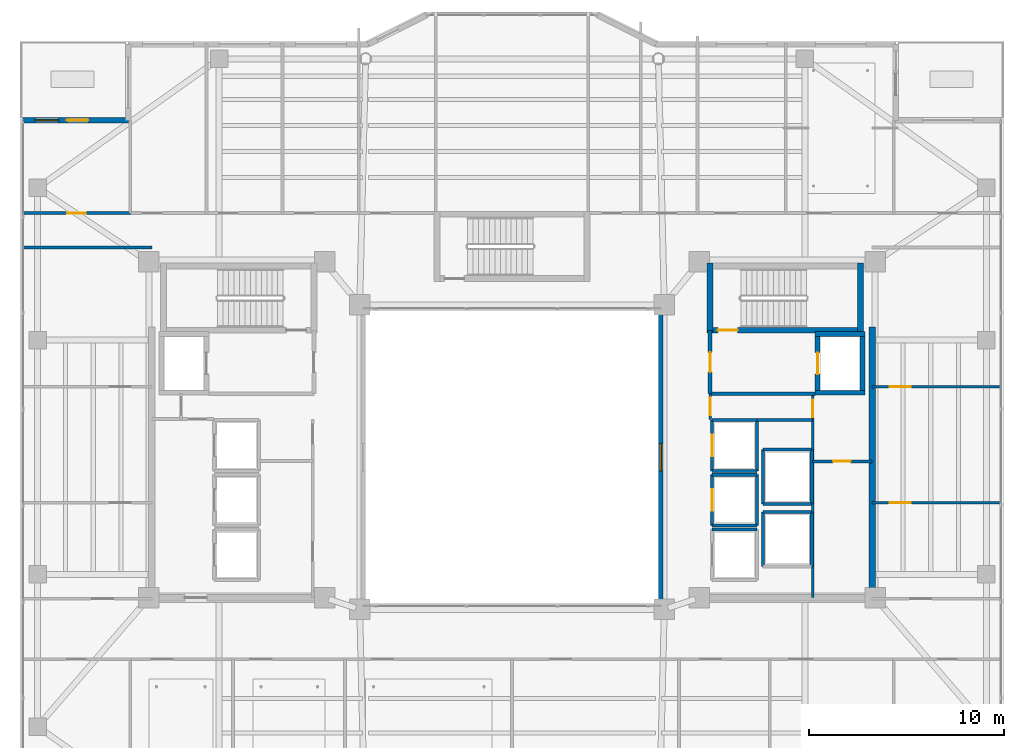
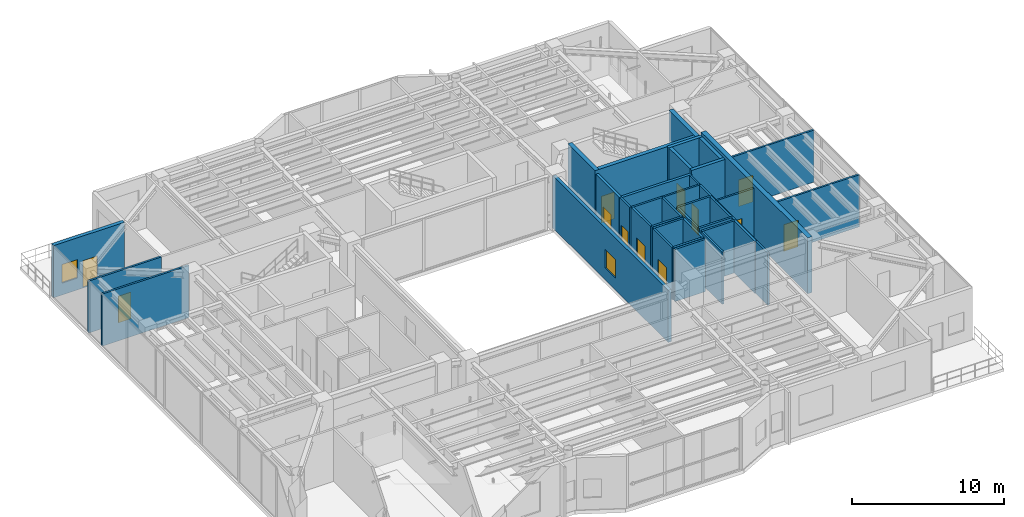
# One storey, part 25 of 33: 36 walls, 12 doors, 2 windows, 14 openings.
"""IFC4 building model written with IfcOpenShell, lengths in metres."""

import ifcopenshell
import ifcopenshell.guid

model = None  # the IFC model being written
_history = None  # IfcOwnerHistory: only IFC2X3 demands one
_inside = {}  # id of a spatial element -> (the spatial element, [elements in it])
_under = {}  # id of a project, library or spatial element -> (it, [spatial elements below it])
_declared = {}  # id of a project -> (the project, [libraries it declares])
_typed = {}  # id of a type object -> (the type object, [elements of that type])
_made_of = {}  # id of a material, layer set ... -> (it, [elements and type objects made of it])


def new_model(schema):
    """Start an empty IFC model of exactly this schema.

    Asked for "IFC4X3", IfcOpenShell would pick the latest addendum, in which some entities
    have other attributes; the version numbers below select the first issue.
    IFC2X3 requires an IfcOwnerHistory on every rooted entity: one is made here for all.
    """
    global model, _history
    if schema == "IFC4X3":
        model = ifcopenshell.file(schema_version=(4, 3, 0, 0))
    else:
        model = ifcopenshell.file(schema=schema)
    _inside.clear()
    _under.clear()
    _declared.clear()
    _typed.clear()
    _made_of.clear()
    _history = None
    if model.schema == "IFC2X3":
        org = make("IfcOrganization", Name="unknown")
        user = make(
            "IfcPersonAndOrganization",
            ThePerson=make("IfcPerson", FamilyName="unknown"),
            TheOrganization=org,
        )
        app = make(
            "IfcApplication",
            ApplicationDeveloper=org,
            Version="unknown",
            ApplicationFullName="unknown",
            ApplicationIdentifier="unknown",
        )
        _history = make(
            "IfcOwnerHistory",
            OwningUser=user,
            OwningApplication=app,
            ChangeAction="ADDED",
            CreationDate=0,
        )
    return model


def make(cls, **values):
    """One entity of the class cls with the attributes given. An attribute that is None is left unset."""
    return model.create_entity(
        cls, **{name: value for name, value in values.items() if value is not None}
    )


def rooted(cls, **values):
    """An entity with a GlobalId (a new one), such as an element, a storey or a relation."""
    return make(cls, GlobalId=ifcopenshell.guid.new(), OwnerHistory=_history, **values)


def si_unit(unit_type, name, prefix=None):
    """IfcSIUnit, for example si_unit("LENGTHUNIT", "METRE", prefix="MILLI")."""
    return make("IfcSIUnit", UnitType=unit_type, Prefix=prefix, Name=name)


def assignment(units):
    """IfcUnitAssignment: the units of a project."""
    return None if units is None else make("IfcUnitAssignment", Units=units)


def point(xyz):
    """IfcCartesianPoint."""
    return None if xyz is None else make("IfcCartesianPoint", Coordinates=xyz)


def direction(xyz):
    """IfcDirection."""
    return None if xyz is None else make("IfcDirection", DirectionRatios=xyz)


def frame(location, z_axis=None, x_axis=None):
    """IfcAxis2Placement3D, a coordinate frame: its origin and axes. An axis left out is left unset."""
    return make(
        "IfcAxis2Placement3D",
        Location=point(location),
        Axis=direction(z_axis),
        RefDirection=direction(x_axis),
    )


def frame_2d(location, x_axis=None):
    """IfcAxis2Placement2D, a coordinate frame in the plane: its origin and x axis."""
    return make(
        "IfcAxis2Placement2D", Location=point(location), RefDirection=direction(x_axis)
    )


def origin():
    """The frame at (0, 0, 0) with its axes left unset."""
    return frame((0.0, 0.0, 0.0))


def place(relative_to, where):
    """IfcLocalPlacement: puts the frame where relative to a parent placement (None: the world)."""
    return make(
        "IfcLocalPlacement", PlacementRelTo=relative_to, RelativePlacement=where
    )


def context(
    kind, dimensions, precision=None, world=None, true_north=None, identifier=None
):
    """IfcGeometricRepresentationContext, for example the 3D "Model" context."""
    return make(
        "IfcGeometricRepresentationContext",
        ContextIdentifier=identifier,
        ContextType=kind,
        CoordinateSpaceDimension=dimensions,
        Precision=precision,
        WorldCoordinateSystem=world,
        TrueNorth=true_north,
    )


def subcontext(parent, identifier, kind, view, scale=None):
    """IfcGeometricRepresentationSubContext, for example "Body" below "Model"."""
    return make(
        "IfcGeometricRepresentationSubContext",
        ContextIdentifier=identifier,
        ContextType=kind,
        ParentContext=parent,
        TargetScale=scale,
        TargetView=view,
    )


def project(units=None, contexts=None):
    """IfcProject with its units and contexts."""
    return rooted(
        "IfcProject",
        Name="project",
        RepresentationContexts=contexts,
        UnitsInContext=assignment(units),
    )


def spatial(cls, under=None, at=None, **own):
    """A site, building, storey or space (cls), placed at a placement, below another one or the project."""
    s = rooted(cls, ObjectPlacement=at, **own)
    if under is not None:
        _under.setdefault(under.id(), (under, []))[1].append(s)
    return s


def profile(cls, at=None, kind="AREA", **sizes):
    """A parametric profile (cls). Its sizes go by their IFC names, for example OverallWidth=200.0."""
    return make(cls, ProfileType=kind, Position=at, **sizes)


def rectangle(**sizes):
    """IfcRectangleProfileDef."""
    return profile("IfcRectangleProfileDef", **sizes)


def extrude(swept, where, along, depth):
    """IfcExtrudedAreaSolid: the profile swept, set in the frame where, extruded along a direction by depth."""
    return make(
        "IfcExtrudedAreaSolid",
        SweptArea=swept,
        Position=where,
        ExtrudedDirection=direction(along),
        Depth=depth,
    )


def shape(context_of_items, identifier, shape_type, items):
    """IfcShapeRepresentation: the items that make up one representation, for example the "Body"."""
    return make(
        "IfcShapeRepresentation",
        ContextOfItems=context_of_items,
        RepresentationIdentifier=identifier,
        RepresentationType=shape_type,
        Items=items,
    )


def material(Name=None, Category=None):
    """IfcMaterial."""
    return make("IfcMaterial", Name=Name, Category=Category)


def layer(
    of_material, thickness, ventilated=None, Name=None, Category=None, Priority=None
):
    """IfcMaterialLayer: one layer of a wall or slab, of a material (None: an air gap)."""
    return make(
        "IfcMaterialLayer",
        Material=of_material,
        LayerThickness=thickness,
        IsVentilated=ventilated,
        Name=Name,
        Category=Category,
        Priority=Priority,
    )


def layer_set(layers, Name=None):
    """IfcMaterialLayerSet."""
    return make("IfcMaterialLayerSet", MaterialLayers=layers, LayerSetName=Name)


def made_of(thing, what):
    """Note that an element or type object is made of a material, layer set ...; save() writes the relation."""
    if what is not None:
        _made_of.setdefault(what.id(), (what, []))[1].append(thing)
    return thing


def type_object(cls, material=None, **own):
    """A type object (cls), such as IfcWallType, which elements share."""
    return made_of(rooted(cls, **own), material)


def element(
    cls,
    number,
    at=None,
    inside=None,
    cuts=None,
    type_object=None,
    material=None,
    context=None,
    identifier="Body",
    shape_type=None,
    held_by="IfcProductDefinitionShape",
    body=None,
    shapes=None,
    **own,
):
    """One element of the class cls, such as IfcWall. Its Tag is "e" and its number.

    at: its placement. inside: the storey or other place that contains it. cuts: it is an
    opening in that element (IfcRelVoidsElement). A single representation is given by context,
    identifier, shape_type and body (its items); several are given by shapes. held_by: the class
    of the entity that holds the representations. save() writes the other relations.
    """
    e = rooted(cls, Tag="e%d" % number, ObjectPlacement=at, **own)
    if body is not None:
        shapes = [shape(context, identifier, shape_type, body)]
    if shapes is not None:
        e.Representation = make(held_by, Representations=shapes)
    if inside is not None:
        _inside.setdefault(inside.id(), (inside, []))[1].append(e)
    if cuts is not None:
        rooted(
            "IfcRelVoidsElement", RelatingBuildingElement=cuts, RelatedOpeningElement=e
        )
    if type_object is not None:
        _typed.setdefault(type_object.id(), (type_object, []))[1].append(e)
    return made_of(e, material)


def fill(opening, filler):
    """IfcRelFillsElement: the door or window that sits in an opening."""
    return rooted(
        "IfcRelFillsElement",
        RelatingOpeningElement=opening,
        RelatedBuildingElement=filler,
    )


def aggregate(whole, parts):
    """IfcRelAggregates: a whole, such as a stair, and the parts it consists of."""
    return rooted("IfcRelAggregates", RelatingObject=whole, RelatedObjects=parts)


def save(model, path):
    """Write the relations noted so far, then the file.

    IfcRelAggregates (storeys below a building ...), IfcRelContainedInSpatialStructure (elements
    in a storey), IfcRelDefinesByType, IfcRelAssociatesMaterial and IfcRelDeclares: one each for
    every whole, place, type object, material and project.
    """
    for whole, parts in _under.values():
        aggregate(whole, parts)
    for where, things in _inside.values():
        rooted(
            "IfcRelContainedInSpatialStructure",
            RelatedElements=things,
            RelatingStructure=where,
        )
    for kind, things in _typed.values():
        rooted("IfcRelDefinesByType", RelatedObjects=things, RelatingType=kind)
    for what, things in _made_of.values():
        rooted("IfcRelAssociatesMaterial", RelatedObjects=things, RelatingMaterial=what)
    for by, libraries in _declared.values():
        rooted("IfcRelDeclares", RelatingContext=by, RelatedDefinitions=libraries)
    model.write(path)


model = new_model("IFC4")

# Units and contexts
model_context = context("Model", 3, precision=1e-05, world=origin(), true_north=direction((0.0, 1.0)))
body_context = subcontext(model_context, "Body", "Model", "MODEL_VIEW")
ifc_project = project(units=[si_unit("LENGTHUNIT", "METRE"), si_unit("AREAUNIT", "SQUARE_METRE"), si_unit("VOLUMEUNIT", "CUBIC_METRE"), si_unit("PLANEANGLEUNIT", "RADIAN"), si_unit("MASSUNIT", "GRAM", prefix="KILO")], contexts=[model_context])

# Site, building, storey
site_placement = place(None, origin())
site = spatial("IfcSite", under=ifc_project, at=site_placement, CompositionType="ELEMENT")
building_placement = place(site_placement, origin())
building = spatial("IfcBuilding", under=site, at=building_placement, Name="Tarnavaz Court Tower", CompositionType="ELEMENT")
storey_placement = place(building_placement, frame((0.0, 0.0, 177.300048828125)))
storey = spatial("IfcBuildingStorey", under=building, at=storey_placement, Name="L48", CompositionType="ELEMENT", Elevation=177.300048828125)

# Wall, opening, door
ifc_material_1 = material(Name="Concrete C50/60", Category="concrete")
ifc_layer_1 = layer(ifc_material_1, 0.25)
ifc_layer_set_1 = layer_set([ifc_layer_1], Name="Concrete C50/60")
wall_type_1 = type_object("IfcWallType", Name="WL-CORE-250-C50", PredefinedType="SHEAR", material=ifc_layer_set_1)
wall_1_placement = place(storey_placement, frame((15.64990234375, 3.175048828125, 0.0), z_axis=(0.0, 0.0, 1.0), x_axis=(0.0, 1.0, 0.0)))
wall_1 = element("IfcWall", 1, at=wall_1_placement, inside=storey, type_object=wall_type_1, Name="L48 Lift FL-E1 Shaft Wall 033", PredefinedType="SHEAR", context=body_context, shape_type="SweptSolid", body=[
    extrude(rectangle(XDim=3.25, YDim=0.25, at=frame_2d((1.625, 0.0))), origin(), (0.0, 0.0, 1.0), 4.5),
])
opening_1_placement = place(wall_1_placement, frame((1.074951171875, 0.0, 0.0)))
opening_1 = element("IfcOpeningElement", 2, at=opening_1_placement, cuts=wall_1, Name="Opening LD1", PredefinedType="OPENING", context=body_context, shape_type="SweptSolid", body=[
    extrude(rectangle(XDim=1.10009765625, YDim=2.14990234375, at=frame_2d((0.550048828125, 1.074951171875))), frame((0.0, 0.135009765625, 0.0), z_axis=(0.0, -1.0, 0.0), x_axis=(1.0, 0.0, 0.0)), (0.0, 0.0, 1.0), 0.27001953125),
])
ifc_material_2 = material(Name="Stainless Steel", Category="steel")
door_type_1 = type_object("IfcDoorType", Name="DR-LD-1100", OperationType="NOTDEFINED", PredefinedType="DOOR", material=ifc_material_2)
door_1_placement = place(opening_1_placement, origin())
door_1 = element("IfcDoor", 3, at=door_1_placement, inside=storey, type_object=door_type_1, Name="L48 Lift Landing Door LD-FL-E1", OperationType="SLIDING_TO_LEFT", OverallHeight=2.14990234375, OverallWidth=1.10009765625, PredefinedType="DOOR", context=body_context, shape_type="SweptSolid", body=[
    extrude(rectangle(XDim=1.10009765625, YDim=2.14990234375, at=frame_2d((0.550048828125, 1.074951171875))), frame((0.0, 0.02490234375, 0.0), z_axis=(0.0, -1.0, 0.0), x_axis=(1.0, 0.0, 0.0)), (0.0, 0.0, 1.0), 0.050048828125),
])
fill(opening_1, door_1)

# Walls
wall_2_placement = place(storey_placement, frame((17.949951171875, 3.175048828125, 0.0), z_axis=(0.0, 0.0, 1.0), x_axis=(0.0, 1.0, 0.0)))
element("IfcWall", 4, at=wall_2_placement, inside=storey, type_object=wall_type_1, Name="L48 Lift FL-E1 Shaft Wall 034", PredefinedType="SHEAR", context=body_context, shape_type="SweptSolid", body=[
    extrude(rectangle(XDim=3.25, YDim=0.25, at=frame_2d((1.625, 0.0))), origin(), (0.0, 0.0, 1.0), 4.5),
])
for number, where, z_axis, x_axis, name in (
    (5, (15.52490234375, 3.300048828125, 0.0), (0.0, 0.0, 1.0), (1.0, 0.0, 0.0), "L48 Lift FL-E1 Shaft Wall 035"),
    (6, (15.52490234375, 6.300048828125, 0.0), (0.0, 0.0, 1.0), (1.0, 0.0, 0.0), "L48 Lift FL-E1 Shaft Wall 036"),
):
    element("IfcWall", number, at=place(storey_placement, frame(where, z_axis=z_axis, x_axis=x_axis)), inside=storey, type_object=wall_type_1, Name=name, PredefinedType="SHEAR", context=body_context, shape_type="SweptSolid", body=[
        extrude(rectangle(XDim=2.550048828125, YDim=0.25, at=frame_2d((1.27490234375, 0.0))), origin(), (0.0, 0.0, 1.0), 4.5),
    ])

# Wall, opening, door
ifc_layer_2 = layer(ifc_material_1, 0.300048828125)
ifc_layer_set_2 = layer_set([ifc_layer_2], Name="Concrete C50/60")
wall_type_2 = type_object("IfcWallType", Name="WL-CORE-300-C50", PredefinedType="SHEAR", material=ifc_layer_set_2)
wall_3_placement = place(storey_placement, frame((10.0, 6.5, 0.0), z_axis=(0.0, 0.0, 1.0), x_axis=(1.0, 0.0, 0.0)))
wall_3 = element("IfcWall", 7, at=wall_3_placement, inside=storey, type_object=wall_type_2, Name="L48 East Stair Core Wall 006", PredefinedType="SHEAR", context=body_context, shape_type="SweptSolid", body=[
    extrude(rectangle(XDim=8.0, YDim=0.300048828125, at=frame_2d((4.0, 0.0))), origin(), (0.0, 0.0, 1.0), 4.5),
])
opening_2_placement = place(wall_3_placement, frame((0.550048828125, 0.0, 0.0)))
opening_2 = element("IfcOpeningElement", 8, at=opening_2_placement, cuts=wall_3, Name="Opening D01", PredefinedType="OPENING", context=body_context, shape_type="SweptSolid", body=[
    extrude(rectangle(XDim=1.0, YDim=2.14990234375, at=frame_2d((0.5, 1.074951171875))), frame((0.0, 0.159912109375, 0.0), z_axis=(0.0, -1.0, 0.0), x_axis=(1.0, 0.0, 0.0)), (0.0, 0.0, 1.0), 0.320068359375),
])
ifc_material_3 = material(Name="Fire-Rated Hardwood Timber Core", Category="wood")
door_type_2 = type_object("IfcDoorType", Name="DR-FD90-1000", OperationType="NOTDEFINED", PredefinedType="DOOR", material=ifc_material_3)
door_2_placement = place(opening_2_placement, origin())
door_2 = element("IfcDoor", 9, at=door_2_placement, inside=storey, type_object=door_type_2, Name="L48 Stair ST-E1 Exit Door", OperationType="SINGLE_SWING_RIGHT", OverallHeight=2.14990234375, OverallWidth=1.0, PredefinedType="DOOR", context=body_context, shape_type="SweptSolid", body=[
    extrude(rectangle(XDim=1.0, YDim=2.14990234375, at=frame_2d((0.5, 1.074951171875))), frame((0.0, 0.02490234375, 0.0), z_axis=(0.0, -1.0, 0.0), x_axis=(1.0, 0.0, 0.0)), (0.0, 0.0, 1.0), 0.050048828125),
])
fill(opening_2, door_2)

# Walls
for number, where, z_axis, x_axis, name in (
    (10, (10.14990234375, 6.35009765625, 0.0), (0.0, 0.0, 1.0), (0.0, 1.0, 0.0), "L48 East Stair Core Wall 007"),
    (11, (17.85009765625, 6.35009765625, 0.0), (0.0, 0.0, 1.0), (0.0, 1.0, 0.0), "L48 East Stair Core Wall 008"),
):
    element("IfcWall", number, at=place(storey_placement, frame(where, z_axis=z_axis, x_axis=x_axis)), inside=storey, type_object=wall_type_2, Name=name, PredefinedType="SHEAR", context=body_context, shape_type="SweptSolid", body=[
        extrude(rectangle(XDim=3.58984375, YDim=0.300048828125, at=frame_2d((1.794921875, 0.0))), origin(), (0.0, 0.0, 1.0), 4.5),
    ])
ifc_layer_3 = layer(ifc_material_1, 0.35009765625)
ifc_layer_set_3 = layer_set([ifc_layer_3], Name="Concrete C50/60")
wall_type_3 = type_object("IfcWallType", Name="WL-CORE-350-C50", PredefinedType="SHEAR", material=ifc_layer_set_3)
wall_4_placement = place(storey_placement, frame((18.449951171875, -7.375, 0.0), z_axis=(0.0, 0.0, 1.0), x_axis=(0.0, 1.0, 0.0)))
element("IfcWall", 12, at=wall_4_placement, inside=storey, type_object=wall_type_3, Name="L48 East Core Shear Wall 059", PredefinedType="SHEAR", context=body_context, shape_type="SweptSolid", body=[
    extrude(rectangle(XDim=14.050048828125, YDim=0.35009765625, at=frame_2d((7.02490234375, 0.0))), origin(), (0.0, 0.0, 1.0), 4.5),
])

# Wall, openings, door, window
ifc_material_4 = material(Name="Precast Concrete C40/50", Category="concrete")
ifc_layer_4 = layer(ifc_material_4, 0.280029296875)
ifc_layer_set_4 = layer_set([ifc_layer_4], Name="Precast Concrete C40/50")
wall_type_4 = type_object("IfcWallType", Name="WL-EXT-280", PredefinedType="SOLIDWALL", material=ifc_layer_set_4)
wall_5_placement = place(storey_placement, frame((-25.050048828125, 17.25, 0.0), z_axis=(0.0, 0.0, 1.0), x_axis=(1.0, 0.0, 0.0)))
wall_5 = element("IfcWall", 13, at=wall_5_placement, inside=storey, type_object=wall_type_4, Name="L48 Exterior Terracotta Facade Wall 03", PredefinedType="SOLIDWALL", context=body_context, shape_type="SweptSolid", body=[
    extrude(rectangle(XDim=5.400146484375, YDim=0.280029296875, at=frame_2d((2.7001953125, 0.0))), origin(), (0.0, 0.0, 1.0), 4.199951171875),
])
opening_3_placement = place(wall_5_placement, frame((2.25, 0.0, 0.0)))
opening_3 = element("IfcOpeningElement", 14, at=opening_3_placement, cuts=wall_5, Name="Opening TD1", PredefinedType="OPENING", context=body_context, shape_type="SweptSolid", body=[
    extrude(rectangle(XDim=1.10009765625, YDim=2.199951171875, at=frame_2d((0.550048828125, 1.10009765625))), frame((0.0, 0.14990234375, 0.0), z_axis=(0.0, -1.0, 0.0), x_axis=(1.0, 0.0, 0.0)), (0.0, 0.0, 1.0), 0.300048828125),
])
opening_4_placement = place(wall_5_placement, frame((0.6298828125, 0.0, 0.949951171875)))
opening_4 = element("IfcOpeningElement", 15, at=opening_4_placement, cuts=wall_5, Name="Opening W05", PredefinedType="OPENING", context=body_context, shape_type="SweptSolid", body=[
    extrude(rectangle(XDim=1.199951171875, YDim=1.5, at=frame_2d((0.60009765625, 0.75))), frame((0.0, 0.14990234375, 0.0), z_axis=(0.0, -1.0, 0.0), x_axis=(1.0, 0.0, 0.0)), (0.0, 0.0, 1.0), 0.300048828125),
])
ifc_material_5 = material(Name="Thermally Broken Aluminium and Laminated Glass", Category="aluminium")
door_type_3 = type_object("IfcDoorType", Name="DR-TERR-1100", OperationType="NOTDEFINED", PredefinedType="DOOR", material=ifc_material_5)
door_3_placement = place(opening_3_placement, origin())
door_3 = element("IfcDoor", 16, at=door_3_placement, inside=storey, type_object=door_type_3, Name="L48 Sky Terrace Access Door 2", OperationType="SINGLE_SWING_RIGHT", OverallHeight=2.199951171875, OverallWidth=1.10009765625, PredefinedType="DOOR", context=body_context, shape_type="SweptSolid", body=[
    extrude(rectangle(XDim=1.10009765625, YDim=2.199951171875, at=frame_2d((0.550048828125, 1.10009765625))), frame((0.0, 0.02490234375, 0.0), z_axis=(0.0, -1.0, 0.0), x_axis=(1.0, 0.0, 0.0)), (0.0, 0.0, 1.0), 0.050048828125),
])
fill(opening_3, door_3)
ifc_material_6 = material(Name="Double-Glazed Solar Low-E Glass", Category="glass")
window_type_1 = type_object("IfcWindowType", Name="WN-APT-1200", PartitioningType="SINGLE_PANEL", PredefinedType="WINDOW", material=ifc_material_6)
window_1_placement = place(opening_4_placement, origin())
window_1 = element("IfcWindow", 17, at=window_1_placement, inside=storey, type_object=window_type_1, Name="L48 L48 NW Terrace Salon Window", OverallHeight=1.5, OverallWidth=1.199951171875, PartitioningType="SINGLE_PANEL", PredefinedType="WINDOW", context=body_context, shape_type="SweptSolid", body=[
    extrude(rectangle(XDim=1.199951171875, YDim=1.5, at=frame_2d((0.60009765625, 0.75))), frame((0.0, 0.030029296875, 0.0), z_axis=(0.0, -1.0, 0.0), x_axis=(1.0, 0.0, 0.0)), (0.0, 0.0, 1.0), 0.06005859375),
])
fill(opening_4, window_1)

# Wall
ifc_material_7 = material(Name="Gypsum Fire-Board on Acoustic Metal Stud", Category="masonry")
ifc_layer_5 = layer(ifc_material_7, 0.14990234375)
ifc_layer_set_5 = layer_set([ifc_layer_5], Name="Gypsum Fire-Board on Acoustic Metal Stud")
wall_type_5 = type_object("IfcWallType", Name="WL-FIRE-150", PredefinedType="PARTITIONING", material=ifc_layer_set_5)
wall_6_placement = place(storey_placement, frame((-25.080078125, 10.75, 0.0), z_axis=(0.0, 0.0, 1.0), x_axis=(1.0, 0.0, 0.0)))
element("IfcWall", 18, at=wall_6_placement, inside=storey, type_object=wall_type_5, Name="L48 Interior Partition 089", PredefinedType="PARTITIONING", context=body_context, shape_type="SweptSolid", body=[
    extrude(rectangle(XDim=6.630126953125, YDim=0.14990234375, at=frame_2d((3.31494140625, 0.0))), origin(), (0.0, 0.0, 1.0), 4.199951171875),
])

# Wall, opening, door
wall_7_placement = place(storey_placement, frame((-25.080078125, 12.5, 0.0), z_axis=(0.0, 0.0, 1.0), x_axis=(1.0, 0.0, 0.0)))
wall_7 = element("IfcWall", 19, at=wall_7_placement, inside=storey, type_object=wall_type_5, Name="L48 Interior Partition 095", PredefinedType="PARTITIONING", context=body_context, shape_type="SweptSolid", body=[
    extrude(rectangle(XDim=5.530029296875, YDim=0.14990234375, at=frame_2d((2.76513671875, 0.0))), origin(), (0.0, 0.0, 1.0), 4.199951171875),
])
opening_5_placement = place(wall_7_placement, frame((2.2900390625, 0.0, 0.0)))
opening_5 = element("IfcOpeningElement", 20, at=opening_5_placement, cuts=wall_7, Name="Opening D13", PredefinedType="OPENING", context=body_context, shape_type="SweptSolid", body=[
    extrude(rectangle(XDim=0.949951171875, YDim=2.14990234375, at=frame_2d((0.47509765625, 1.074951171875))), frame((0.0, 0.0849609375, 0.0), z_axis=(0.0, -1.0, 0.0), x_axis=(1.0, 0.0, 0.0)), (0.0, 0.0, 1.0), 0.169921875),
])
ifc_material_8 = material(Name="Engineered Oak Timber", Category="wood")
door_type_4 = type_object("IfcDoorType", Name="DR-INT-950", OperationType="NOTDEFINED", PredefinedType="DOOR", material=ifc_material_8)
door_4_placement = place(opening_5_placement, origin())
door_4 = element("IfcDoor", 21, at=door_4_placement, inside=storey, type_object=door_type_4, Name="L48 NW Terrace Salon Door", OperationType="SINGLE_SWING_RIGHT", OverallHeight=2.14990234375, OverallWidth=0.949951171875, PredefinedType="DOOR", context=body_context, shape_type="SweptSolid", body=[
    extrude(rectangle(XDim=0.949951171875, YDim=2.14990234375, at=frame_2d((0.47509765625, 1.074951171875))), frame((0.0, 0.02490234375, 0.0), z_axis=(0.0, -1.0, 0.0), x_axis=(1.0, 0.0, 0.0)), (0.0, 0.0, 1.0), 0.050048828125),
])
fill(opening_5, door_4)

# Wall
ifc_material_9 = material(Name="Autoclaved Aerated Concrete Blockwork", Category="masonry")
ifc_layer_6 = layer(ifc_material_9, 0.199951171875)
ifc_layer_set_6 = layer_set([ifc_layer_6], Name="Autoclaved Aerated Concrete Blockwork")
wall_type_6 = type_object("IfcWallType", Name="WL-FIRE-200", PredefinedType="SOLIDWALL", material=ifc_layer_set_6)
wall_8_placement = place(storey_placement, frame((10.14990234375, 3.25, 0.0), z_axis=(0.0, 0.0, 1.0), x_axis=(1.0, 0.0, 0.0)))
element("IfcWall", 22, at=wall_8_placement, inside=storey, type_object=wall_type_6, Name="L48 East Firefighting Lobby Wall 015", PredefinedType="SOLIDWALL", context=body_context, shape_type="SweptSolid", body=[
    extrude(rectangle(XDim=5.400146484375, YDim=0.199951171875, at=frame_2d((2.7001953125, 0.0))), origin(), (0.0, 0.0, 1.0), 4.199951171875),
])

# Wall, opening, door
wall_9_placement = place(storey_placement, frame((10.14990234375, 3.25, 0.0), z_axis=(0.0, 0.0, 1.0), x_axis=(0.0, 1.0, 0.0)))
wall_9 = element("IfcWall", 23, at=wall_9_placement, inside=storey, type_object=wall_type_6, Name="L48 East Firefighting Lobby Wall 016", PredefinedType="SOLIDWALL", context=body_context, shape_type="SweptSolid", body=[
    extrude(rectangle(XDim=3.25, YDim=0.199951171875, at=frame_2d((1.625, 0.0))), origin(), (0.0, 0.0, 1.0), 4.199951171875),
])
opening_6_placement = place(wall_9_placement, frame((1.10009765625, 0.0, 0.0)))
opening_6 = element("IfcOpeningElement", 24, at=opening_6_placement, cuts=wall_9, Name="Opening D05", PredefinedType="OPENING", context=body_context, shape_type="SweptSolid", body=[
    extrude(rectangle(XDim=1.02001953125, YDim=2.14990234375, at=frame_2d((0.510009765625, 1.074951171875))), frame((0.0, 0.10986328125, 0.0), z_axis=(0.0, -1.0, 0.0), x_axis=(1.0, 0.0, 0.0)), (0.0, 0.0, 1.0), 0.219970703125),
])
door_type_5 = type_object("IfcDoorType", Name="DR-FD60-1000", OperationType="NOTDEFINED", PredefinedType="DOOR", material=ifc_material_3)
door_5_placement = place(opening_6_placement, origin())
door_5 = element("IfcDoor", 25, at=door_5_placement, inside=storey, type_object=door_type_5, Name="L48 East Firefighting Lobby Door", OperationType="SINGLE_SWING_LEFT", OverallHeight=2.14990234375, OverallWidth=1.02001953125, PredefinedType="DOOR", context=body_context, shape_type="SweptSolid", body=[
    extrude(rectangle(XDim=1.02001953125, YDim=2.14990234375, at=frame_2d((0.510009765625, 1.074951171875))), frame((0.0, 0.02490234375, 0.0), z_axis=(0.0, -1.0, 0.0), x_axis=(1.0, 0.0, 0.0)), (0.0, 0.0, 1.0), 0.050048828125),
])
fill(opening_6, door_5)

# Wall
ifc_material_10 = material(Name="Gypsum Plasterboard Acoustic Partition", Category="masonry")
ifc_layer_7 = layer(ifc_material_10, 0.139892578125)
ifc_layer_set_7 = layer_set([ifc_layer_7], Name="Gypsum Plasterboard Acoustic Partition")
wall_type_7 = type_object("IfcWallType", Name="WL-PART-150", PredefinedType="PARTITIONING", material=ifc_layer_set_7)
wall_10_placement = place(storey_placement, frame((12.550048828125, 1.89990234375, 0.0), z_axis=(0.0, 0.0, 1.0), x_axis=(1.0, 0.0, 0.0)))
element("IfcWall", 26, at=wall_10_placement, inside=storey, type_object=wall_type_7, Name="L48 Interior Partition 065", PredefinedType="PARTITIONING", context=body_context, shape_type="SweptSolid", body=[
    extrude(rectangle(XDim=2.849853515625, YDim=0.139892578125, at=frame_2d((1.4248046875, 0.0))), origin(), (0.0, 0.0, 1.0), 4.199951171875),
])

# Wall, opening, door
wall_11_placement = place(storey_placement, frame((10.14990234375, 1.919921875, 0.0), z_axis=(0.0, 0.0, 1.0), x_axis=(0.0, 1.0, 0.0)))
wall_11 = element("IfcWall", 27, at=wall_11_placement, inside=storey, type_object=wall_type_7, Name="L48 Interior Partition 066", PredefinedType="PARTITIONING", context=body_context, shape_type="SweptSolid", body=[
    extrude(rectangle(XDim=1.330078125, YDim=0.139892578125, at=frame_2d((0.6650390625, 0.0))), origin(), (0.0, 0.0, 1.0), 4.199951171875),
])
opening_7_placement = place(wall_11_placement, frame((0.219970703125, 0.0, 0.0)))
opening_7 = element("IfcOpeningElement", 28, at=opening_7_placement, cuts=wall_11, Name="Opening D09", PredefinedType="OPENING", context=body_context, shape_type="SweptSolid", body=[
    extrude(rectangle(XDim=0.89990234375, YDim=2.080078125, at=frame_2d((0.449951171875, 1.0400390625))), frame((0.0, 0.079833984375, 0.0), z_axis=(0.0, -1.0, 0.0), x_axis=(1.0, 0.0, 0.0)), (0.0, 0.0, 1.0), 0.159912109375),
])
door_type_6 = type_object("IfcDoorType", Name="DR-FD30-900", OperationType="NOTDEFINED", PredefinedType="DOOR", material=ifc_material_3)
door_6_placement = place(opening_7_placement, origin())
door_6 = element("IfcDoor", 29, at=door_6_placement, inside=storey, type_object=door_type_6, Name="L48 East Core Service Lobby Door", OperationType="SINGLE_SWING_LEFT", OverallHeight=2.080078125, OverallWidth=0.89990234375, PredefinedType="DOOR", context=body_context, shape_type="SweptSolid", body=[
    extrude(rectangle(XDim=0.89990234375, YDim=2.080078125, at=frame_2d((0.449951171875, 1.0400390625))), frame((0.0, 0.02490234375, 0.0), z_axis=(0.0, -1.0, 0.0), x_axis=(1.0, 0.0, 0.0)), (0.0, 0.0, 1.0), 0.050048828125),
])
fill(opening_7, door_6)

wall_12_placement = place(storey_placement, frame((15.39990234375, -7.199951171875, 0.0), z_axis=(0.0, 0.0, 1.0), x_axis=(0.0, 1.0, 0.0)))
wall_12 = element("IfcWall", 30, at=wall_12_placement, inside=storey, type_object=wall_type_7, Name="L48 Interior Partition 067", PredefinedType="PARTITIONING", context=body_context, shape_type="SweptSolid", body=[
    extrude(rectangle(XDim=10.449951171875, YDim=0.139892578125, at=frame_2d((5.22509765625, 0.0))), origin(), (0.0, 0.0, 1.0), 4.199951171875),
])
opening_8_placement = place(wall_12_placement, frame((9.25, 0.0, 0.0)))
opening_8 = element("IfcOpeningElement", 31, at=opening_8_placement, cuts=wall_12, Name="Opening D09", PredefinedType="OPENING", context=body_context, shape_type="SweptSolid", body=[
    extrude(rectangle(XDim=0.89990234375, YDim=2.080078125, at=frame_2d((0.449951171875, 1.0400390625))), frame((0.0, 0.079833984375, 0.0), z_axis=(0.0, -1.0, 0.0), x_axis=(1.0, 0.0, 0.0)), (0.0, 0.0, 1.0), 0.159912109375),
])
door_7_placement = place(opening_8_placement, origin())
door_7 = element("IfcDoor", 32, at=door_7_placement, inside=storey, type_object=door_type_6, Name="L48 East Wet Riser Door", OperationType="SINGLE_SWING_RIGHT", OverallHeight=2.080078125, OverallWidth=0.89990234375, PredefinedType="DOOR", context=body_context, shape_type="SweptSolid", body=[
    extrude(rectangle(XDim=0.89990234375, YDim=2.080078125, at=frame_2d((0.449951171875, 1.0400390625))), frame((0.0, 0.02490234375, 0.0), z_axis=(0.0, -1.0, 0.0), x_axis=(1.0, 0.0, 0.0)), (0.0, 0.0, 1.0), 0.050048828125),
])
fill(opening_8, door_7)

wall_13_placement = place(storey_placement, frame((15.39990234375, -0.219970703125, 0.0), z_axis=(0.0, 0.0, 1.0), x_axis=(1.0, 0.0, 0.0)))
wall_13 = element("IfcWall", 33, at=wall_13_placement, inside=storey, type_object=wall_type_7, Name="L48 Interior Partition 068", PredefinedType="PARTITIONING", context=body_context, shape_type="SweptSolid", body=[
    extrude(rectangle(XDim=3.050048828125, YDim=0.139892578125, at=frame_2d((1.52490234375, 0.0))), origin(), (0.0, 0.0, 1.0), 4.199951171875),
])
opening_9_placement = place(wall_13_placement, frame((1.050048828125, 0.0, 0.0)))
opening_9 = element("IfcOpeningElement", 34, at=opening_9_placement, cuts=wall_13, Name="Opening D09", PredefinedType="OPENING", context=body_context, shape_type="SweptSolid", body=[
    extrude(rectangle(XDim=0.89990234375, YDim=2.080078125, at=frame_2d((0.449951171875, 1.0400390625))), frame((0.0, 0.079833984375, 0.0), z_axis=(0.0, -1.0, 0.0), x_axis=(1.0, 0.0, 0.0)), (0.0, 0.0, 1.0), 0.159912109375),
])
door_8_placement = place(opening_9_placement, origin())
door_8 = element("IfcDoor", 35, at=door_8_placement, inside=storey, type_object=door_type_6, Name="L48 East Electrical Plant Door", OperationType="SINGLE_SWING_LEFT", OverallHeight=2.080078125, OverallWidth=0.89990234375, PredefinedType="DOOR", context=body_context, shape_type="SweptSolid", body=[
    extrude(rectangle(XDim=0.89990234375, YDim=2.080078125, at=frame_2d((0.449951171875, 1.0400390625))), frame((0.0, 0.02490234375, 0.0), z_axis=(0.0, -1.0, 0.0), x_axis=(1.0, 0.0, 0.0)), (0.0, 0.0, 1.0), 0.050048828125),
])
fill(opening_9, door_8)

wall_14_placement = place(storey_placement, frame((18.449951171875, -2.340087890625, 0.0), z_axis=(0.0, 0.0, 1.0), x_axis=(1.0, 0.0, 0.0)))
wall_14 = element("IfcWall", 36, at=wall_14_placement, inside=storey, type_object=wall_type_7, Name="L48 Interior Partition 101", PredefinedType="PARTITIONING", context=body_context, shape_type="SweptSolid", body=[
    extrude(rectangle(XDim=6.630126953125, YDim=0.139892578125, at=frame_2d((3.31494140625, 0.0))), origin(), (0.0, 0.0, 1.0), 4.199951171875),
])
opening_10_placement = place(wall_14_placement, frame((0.89990234375, 0.0, 0.0)))
opening_10 = element("IfcOpeningElement", 37, at=opening_10_placement, cuts=wall_14, Name="Opening D12", PredefinedType="OPENING", context=body_context, shape_type="SweptSolid", body=[
    extrude(rectangle(XDim=1.080078125, YDim=2.14990234375, at=frame_2d((0.5400390625, 1.074951171875))), frame((0.0, 0.079833984375, 0.0), z_axis=(0.0, -1.0, 0.0), x_axis=(1.0, 0.0, 0.0)), (0.0, 0.0, 1.0), 0.159912109375),
])
door_type_7 = type_object("IfcDoorType", Name="DR-INT-1100", OperationType="NOTDEFINED", PredefinedType="DOOR", material=ifc_material_8)
door_9_placement = place(opening_10_placement, origin())
door_9 = element("IfcDoor", 38, at=door_9_placement, inside=storey, type_object=door_type_7, Name="L48 East Suite Room 2 Door", OperationType="SINGLE_SWING_RIGHT", OverallHeight=2.14990234375, OverallWidth=1.080078125, PredefinedType="DOOR", context=body_context, shape_type="SweptSolid", body=[
    extrude(rectangle(XDim=1.080078125, YDim=2.14990234375, at=frame_2d((0.5400390625, 1.074951171875))), frame((0.0, 0.02490234375, 0.0), z_axis=(0.0, -1.0, 0.0), x_axis=(1.0, 0.0, 0.0)), (0.0, 0.0, 1.0), 0.050048828125),
])
fill(opening_10, door_9)

wall_15_placement = place(storey_placement, frame((18.449951171875, 3.613037109375, 0.0), z_axis=(0.0, 0.0, 1.0), x_axis=(1.0, 0.0, 0.0)))
wall_15 = element("IfcWall", 39, at=wall_15_placement, inside=storey, type_object=wall_type_7, Name="L48 Interior Partition 102", PredefinedType="PARTITIONING", context=body_context, shape_type="SweptSolid", body=[
    extrude(rectangle(XDim=6.630126953125, YDim=0.139892578125, at=frame_2d((3.31494140625, 0.0))), origin(), (0.0, 0.0, 1.0), 4.199951171875),
])
opening_11_placement = place(wall_15_placement, frame((0.89990234375, 0.0, 0.0)))
opening_11 = element("IfcOpeningElement", 40, at=opening_11_placement, cuts=wall_15, Name="Opening D12", PredefinedType="OPENING", context=body_context, shape_type="SweptSolid", body=[
    extrude(rectangle(XDim=1.080078125, YDim=2.14990234375, at=frame_2d((0.5400390625, 1.074951171875))), frame((0.0, 0.079833984375, 0.0), z_axis=(0.0, -1.0, 0.0), x_axis=(1.0, 0.0, 0.0)), (0.0, 0.0, 1.0), 0.159912109375),
])
door_10_placement = place(opening_11_placement, origin())
door_10 = element("IfcDoor", 41, at=door_10_placement, inside=storey, type_object=door_type_7, Name="L48 East Suite Room 3 Door", OperationType="SINGLE_SWING_LEFT", OverallHeight=2.14990234375, OverallWidth=1.080078125, PredefinedType="DOOR", context=body_context, shape_type="SweptSolid", body=[
    extrude(rectangle(XDim=1.080078125, YDim=2.14990234375, at=frame_2d((0.5400390625, 1.074951171875))), frame((0.0, 0.02490234375, 0.0), z_axis=(0.0, -1.0, 0.0), x_axis=(1.0, 0.0, 0.0)), (0.0, 0.0, 1.0), 0.050048828125),
])
fill(opening_11, door_10)

# Wall
ifc_layer_8 = layer(ifc_material_9, 0.159912109375)
ifc_layer_set_8 = layer_set([ifc_layer_8], Name="Autoclaved Aerated Concrete Blockwork")
wall_type_8 = type_object("IfcWallType", Name="WL-SHAFT-150", PredefinedType="SOLIDWALL", material=ifc_layer_set_8)
wall_16_placement = place(storey_placement, frame((10.25, -3.699951171875, 0.0), z_axis=(0.0, 0.0, 1.0), x_axis=(1.0, 0.0, 0.0)))
element("IfcWall", 42, at=wall_16_placement, inside=storey, type_object=wall_type_8, Name="L48 Lift PL-M1 Shaft Wall 040", PredefinedType="SOLIDWALL", context=body_context, shape_type="SweptSolid", body=[
    extrude(rectangle(XDim=2.300048828125, YDim=0.159912109375, at=frame_2d((1.14990234375, 0.0))), origin(), (0.0, 0.0, 1.0), 4.199951171875),
])

# Wall, opening, door
wall_17_placement = place(storey_placement, frame((10.25, -3.5, 0.0), z_axis=(0.0, 0.0, 1.0), x_axis=(0.0, 1.0, 0.0)))
wall_17 = element("IfcWall", 43, at=wall_17_placement, inside=storey, type_object=wall_type_8, Name="L48 Lift PL-M2 Shaft Wall 041", PredefinedType="SOLIDWALL", context=body_context, shape_type="SweptSolid", body=[
    extrude(rectangle(XDim=2.60009765625, YDim=0.159912109375, at=frame_2d((1.300048828125, 0.0))), origin(), (0.0, 0.0, 1.0), 4.199951171875),
])
opening_12_placement = place(wall_17_placement, frame((0.75, 0.0, 0.0)))
opening_12 = element("IfcOpeningElement", 44, at=opening_12_placement, cuts=wall_17, Name="Opening LD1", PredefinedType="OPENING", context=body_context, shape_type="SweptSolid", body=[
    extrude(rectangle(XDim=1.10009765625, YDim=2.14990234375, at=frame_2d((0.550048828125, 1.074951171875))), frame((0.0, 0.08984375, 0.0), z_axis=(0.0, -1.0, 0.0), x_axis=(1.0, 0.0, 0.0)), (0.0, 0.0, 1.0), 0.179931640625),
])
door_11_placement = place(opening_12_placement, origin())
door_11 = element("IfcDoor", 45, at=door_11_placement, inside=storey, type_object=door_type_1, Name="L48 Lift Landing Door LD-PL-M2", OperationType="SLIDING_TO_LEFT", OverallHeight=2.14990234375, OverallWidth=1.10009765625, PredefinedType="DOOR", context=body_context, shape_type="SweptSolid", body=[
    extrude(rectangle(XDim=1.10009765625, YDim=2.14990234375, at=frame_2d((0.550048828125, 1.074951171875))), frame((0.0, 0.02490234375, 0.0), z_axis=(0.0, -1.0, 0.0), x_axis=(1.0, 0.0, 0.0)), (0.0, 0.0, 1.0), 0.050048828125),
])
fill(opening_12, door_11)

# Walls
wall_18_placement = place(storey_placement, frame((12.550048828125, -3.5, 0.0), z_axis=(0.0, 0.0, 1.0), x_axis=(0.0, 1.0, 0.0)))
element("IfcWall", 46, at=wall_18_placement, inside=storey, type_object=wall_type_8, Name="L48 Lift PL-M2 Shaft Wall 042", PredefinedType="SOLIDWALL", context=body_context, shape_type="SweptSolid", body=[
    extrude(rectangle(XDim=2.60009765625, YDim=0.159912109375, at=frame_2d((1.300048828125, 0.0))), origin(), (0.0, 0.0, 1.0), 4.199951171875),
])
for number, where, z_axis, x_axis, name in (
    (47, (10.25, -3.5, 0.0), (0.0, 0.0, 1.0), (1.0, 0.0, 0.0), "L48 Lift PL-M2 Shaft Wall 043"),
    (48, (10.25, -0.89990234375, 0.0), (0.0, 0.0, 1.0), (1.0, 0.0, 0.0), "L48 Lift PL-M2 Shaft Wall 044"),
):
    element("IfcWall", number, at=place(storey_placement, frame(where, z_axis=z_axis, x_axis=x_axis)), inside=storey, type_object=wall_type_8, Name=name, PredefinedType="SOLIDWALL", context=body_context, shape_type="SweptSolid", body=[
        extrude(rectangle(XDim=2.300048828125, YDim=0.159912109375, at=frame_2d((1.14990234375, 0.0))), origin(), (0.0, 0.0, 1.0), 4.199951171875),
    ])

# Wall, opening, door
wall_19_placement = place(storey_placement, frame((10.25, -0.699951171875, 0.0), z_axis=(0.0, 0.0, 1.0), x_axis=(0.0, 1.0, 0.0)))
wall_19 = element("IfcWall", 49, at=wall_19_placement, inside=storey, type_object=wall_type_8, Name="L48 Lift PL-M3 Shaft Wall 045", PredefinedType="SOLIDWALL", context=body_context, shape_type="SweptSolid", body=[
    extrude(rectangle(XDim=2.599853515625, YDim=0.159912109375, at=frame_2d((1.2998046875, 0.0))), origin(), (0.0, 0.0, 1.0), 4.199951171875),
])
opening_13_placement = place(wall_19_placement, frame((0.75, 0.0, 0.0)))
opening_13 = element("IfcOpeningElement", 50, at=opening_13_placement, cuts=wall_19, Name="Opening LD1", PredefinedType="OPENING", context=body_context, shape_type="SweptSolid", body=[
    extrude(rectangle(XDim=1.10009765625, YDim=2.14990234375, at=frame_2d((0.550048828125, 1.074951171875))), frame((0.0, 0.08984375, 0.0), z_axis=(0.0, -1.0, 0.0), x_axis=(1.0, 0.0, 0.0)), (0.0, 0.0, 1.0), 0.179931640625),
])
door_12_placement = place(opening_13_placement, origin())
door_12 = element("IfcDoor", 51, at=door_12_placement, inside=storey, type_object=door_type_1, Name="L48 Lift Landing Door LD-PL-M3", OperationType="SLIDING_TO_LEFT", OverallHeight=2.14990234375, OverallWidth=1.10009765625, PredefinedType="DOOR", context=body_context, shape_type="SweptSolid", body=[
    extrude(rectangle(XDim=1.10009765625, YDim=2.14990234375, at=frame_2d((0.550048828125, 1.074951171875))), frame((0.0, 0.02490234375, 0.0), z_axis=(0.0, -1.0, 0.0), x_axis=(1.0, 0.0, 0.0)), (0.0, 0.0, 1.0), 0.050048828125),
])
fill(opening_13, door_12)

# Walls
wall_20_placement = place(storey_placement, frame((12.550048828125, -0.699951171875, 0.0), z_axis=(0.0, 0.0, 1.0), x_axis=(0.0, 1.0, 0.0)))
element("IfcWall", 52, at=wall_20_placement, inside=storey, type_object=wall_type_8, Name="L48 Lift PL-M3 Shaft Wall 046", PredefinedType="SOLIDWALL", context=body_context, shape_type="SweptSolid", body=[
    extrude(rectangle(XDim=2.599853515625, YDim=0.159912109375, at=frame_2d((1.2998046875, 0.0))), origin(), (0.0, 0.0, 1.0), 4.199951171875),
])
for number, where, z_axis, x_axis, name in (
    (53, (10.25, -0.699951171875, 0.0), (0.0, 0.0, 1.0), (1.0, 0.0, 0.0), "L48 Lift PL-M3 Shaft Wall 047"),
    (54, (10.25, 1.89990234375, 0.0), (0.0, 0.0, 1.0), (1.0, 0.0, 0.0), "L48 Lift PL-M3 Shaft Wall 048"),
):
    element("IfcWall", number, at=place(storey_placement, frame(where, z_axis=z_axis, x_axis=x_axis)), inside=storey, type_object=wall_type_8, Name=name, PredefinedType="SOLIDWALL", context=body_context, shape_type="SweptSolid", body=[
        extrude(rectangle(XDim=2.300048828125, YDim=0.159912109375, at=frame_2d((1.14990234375, 0.0))), origin(), (0.0, 0.0, 1.0), 4.199951171875),
    ])
for number, where, z_axis, x_axis, name in (
    (55, (12.85009765625, -5.60009765625, 0.0), (0.0, 0.0, 1.0), (0.0, 1.0, 0.0), "L48 Lift PL-OB1 Shaft Wall 049"),
    (56, (15.35009765625, -5.60009765625, 0.0), (0.0, 0.0, 1.0), (0.0, 1.0, 0.0), "L48 Lift PL-OB1 Shaft Wall 050"),
):
    element("IfcWall", number, at=place(storey_placement, frame(where, z_axis=z_axis, x_axis=x_axis)), inside=storey, type_object=wall_type_8, Name=name, PredefinedType="SOLIDWALL", context=body_context, shape_type="SweptSolid", body=[
        extrude(rectangle(XDim=2.800048828125, YDim=0.159912109375, at=frame_2d((1.39990234375, 0.0))), origin(), (0.0, 0.0, 1.0), 4.199951171875),
    ])
wall_21_placement = place(storey_placement, frame((12.85009765625, -2.800048828125, 0.0), z_axis=(0.0, 0.0, 1.0), x_axis=(1.0, 0.0, 0.0)))
element("IfcWall", 57, at=wall_21_placement, inside=storey, type_object=wall_type_8, Name="L48 Lift PL-OB1 Shaft Wall 052", PredefinedType="SOLIDWALL", context=body_context, shape_type="SweptSolid", body=[
    extrude(rectangle(XDim=2.5, YDim=0.159912109375, at=frame_2d((1.25, 0.0))), origin(), (0.0, 0.0, 1.0), 4.199951171875),
])
for number, where, z_axis, x_axis, name in (
    (58, (12.85009765625, -2.39990234375, 0.0), (0.0, 0.0, 1.0), (0.0, 1.0, 0.0), "L48 Lift PL-OB2 Shaft Wall 053"),
    (59, (15.35009765625, -2.39990234375, 0.0), (0.0, 0.0, 1.0), (0.0, 1.0, 0.0), "L48 Lift PL-OB2 Shaft Wall 054"),
):
    element("IfcWall", number, at=place(storey_placement, frame(where, z_axis=z_axis, x_axis=x_axis)), inside=storey, type_object=wall_type_8, Name=name, PredefinedType="SOLIDWALL", context=body_context, shape_type="SweptSolid", body=[
        extrude(rectangle(XDim=2.7998046875, YDim=0.159912109375, at=frame_2d((1.39990234375, 0.0))), origin(), (0.0, 0.0, 1.0), 4.199951171875),
    ])
for number, where, z_axis, x_axis, name in (
    (60, (12.85009765625, -2.39990234375, 0.0), (0.0, 0.0, 1.0), (1.0, 0.0, 0.0), "L48 Lift PL-OB2 Shaft Wall 055"),
    (61, (12.85009765625, 0.39990234375, 0.0), (0.0, 0.0, 1.0), (1.0, 0.0, 0.0), "L48 Lift PL-OB2 Shaft Wall 056"),
):
    element("IfcWall", number, at=place(storey_placement, frame(where, z_axis=z_axis, x_axis=x_axis)), inside=storey, type_object=wall_type_8, Name=name, PredefinedType="SOLIDWALL", context=body_context, shape_type="SweptSolid", body=[
        extrude(rectangle(XDim=2.5, YDim=0.159912109375, at=frame_2d((1.25, 0.0))), origin(), (0.0, 0.0, 1.0), 4.199951171875),
    ])

# Wall, opening, window
ifc_layer_9 = layer(ifc_material_4, 0.239990234375)
ifc_layer_set_9 = layer_set([ifc_layer_9], Name="Precast Concrete C40/50")
wall_type_9 = type_object("IfcWallType", Name="WL-WELL-240", PredefinedType="SOLIDWALL", material=ifc_layer_set_9)
wall_22_placement = place(storey_placement, frame((7.6201171875, -7.6201171875, 0.0), z_axis=(0.0, 0.0, 1.0), x_axis=(0.0, 1.0, 0.0)))
wall_22 = element("IfcWall", 62, at=wall_22_placement, inside=storey, type_object=wall_type_9, Name="L48 Badgir Light-Well Exterior Wall E", PredefinedType="SOLIDWALL", context=body_context, shape_type="SweptSolid", body=[
    extrude(rectangle(XDim=15.240234375, YDim=0.239990234375, at=frame_2d((7.6201171875, 0.0))), origin(), (0.0, 0.0, 1.0), 4.199951171875),
])
opening_14_placement = place(wall_22_placement, frame((6.919921875, 0.0, 0.949951171875)))
opening_14 = element("IfcOpeningElement", 63, at=opening_14_placement, cuts=wall_22, Name="Opening W13", PredefinedType="OPENING", context=body_context, shape_type="SweptSolid", body=[
    extrude(rectangle(XDim=1.39990234375, YDim=1.5, at=frame_2d((0.699951171875, 0.75))), frame((0.0, 0.1298828125, 0.0), z_axis=(0.0, -1.0, 0.0), x_axis=(1.0, 0.0, 0.0)), (0.0, 0.0, 1.0), 0.260009765625),
])
window_type_2 = type_object("IfcWindowType", Name="WN-WEL-1400", PartitioningType="SINGLE_PANEL", PredefinedType="WINDOW", material=ifc_material_6)
window_2_placement = place(opening_14_placement, origin())
window_2 = element("IfcWindow", 64, at=window_2_placement, inside=storey, type_object=window_type_2, Name="L48 Courtyard Gallery Window E", OverallHeight=1.5, OverallWidth=1.39990234375, PartitioningType="SINGLE_PANEL", PredefinedType="WINDOW", context=body_context, shape_type="SweptSolid", body=[
    extrude(rectangle(XDim=1.39990234375, YDim=1.5, at=frame_2d((0.699951171875, 0.75))), frame((0.0, 0.030029296875, 0.0), z_axis=(0.0, -1.0, 0.0), x_axis=(1.0, 0.0, 0.0)), (0.0, 0.0, 1.0), 0.06005859375),
])
fill(opening_14, window_2)

save(model, "model.ifc")
